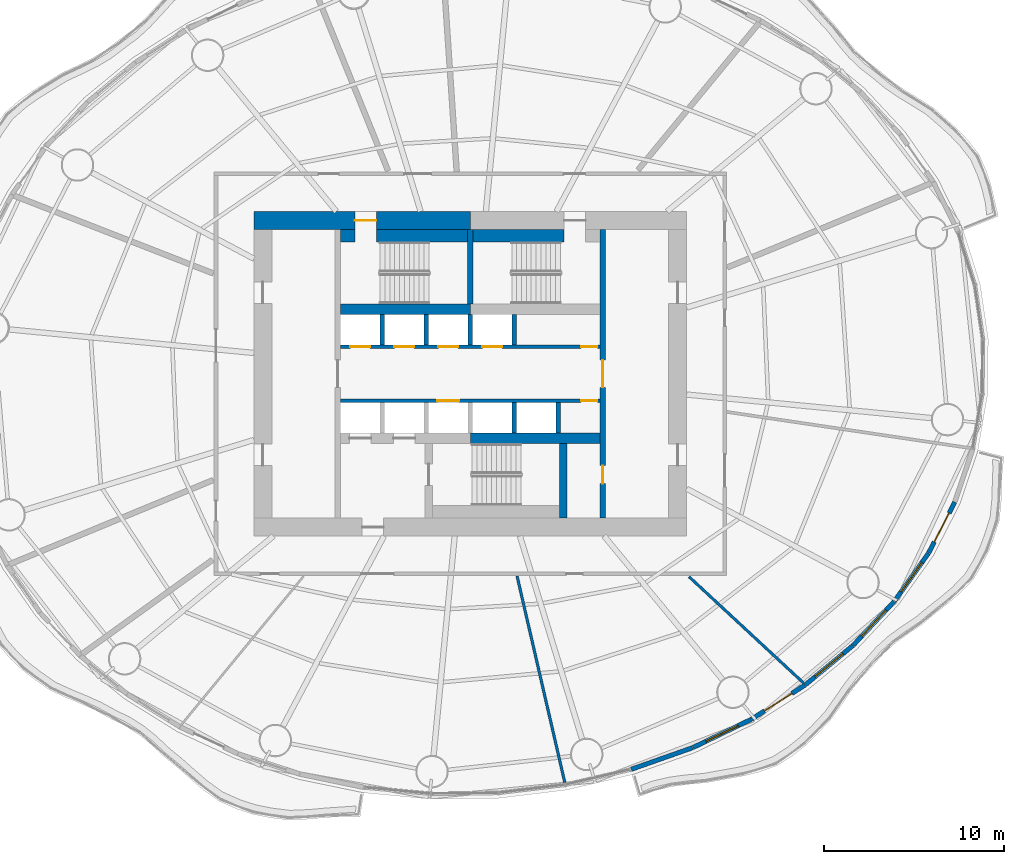
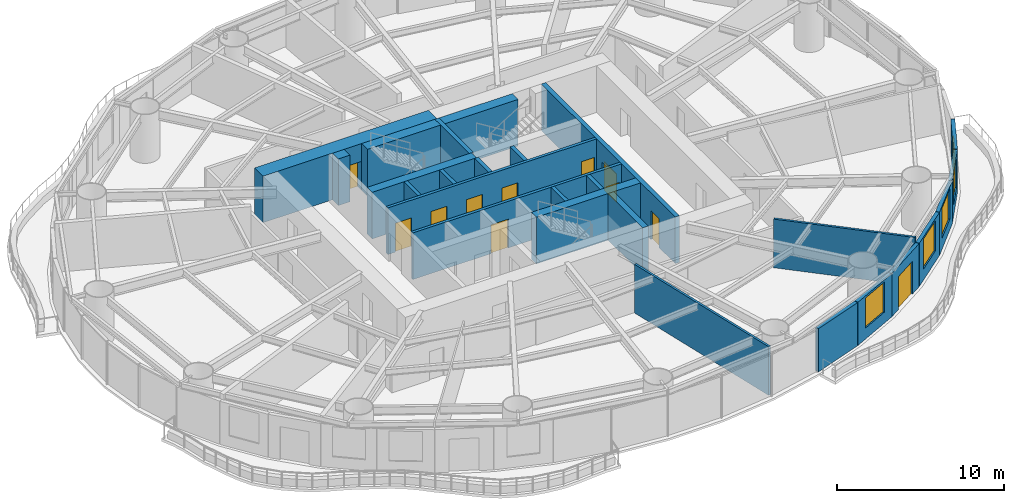
# One storey, part 9 of 16: 26 walls, 12 doors, 4 windows, 16 openings.
"""IFC4 building model written with IfcOpenShell, lengths in metres."""

from ifc_helpers import new_model, si_unit, direction, frame, frame_2d, origin, place, context, subcontext, project, spatial, rectangle, extrude, material, layer, layer_set, type_object, element, fill, save


model = new_model("IFC4")

# Units and contexts
model_context = context("Model", 3, precision=1e-05, world=origin(), true_north=direction((0.0, 1.0)))
body_context = subcontext(model_context, "Body", "Model", "MODEL_VIEW")
ifc_project = project(units=[si_unit("LENGTHUNIT", "METRE"), si_unit("AREAUNIT", "SQUARE_METRE"), si_unit("VOLUMEUNIT", "CUBIC_METRE"), si_unit("PLANEANGLEUNIT", "RADIAN"), si_unit("MASSUNIT", "GRAM", prefix="KILO")], contexts=[model_context])

# Site, building, storey
site_placement = place(None, origin())
site = spatial("IfcSite", under=ifc_project, at=site_placement, CompositionType="ELEMENT")
building_placement = place(site_placement, origin())
building = spatial("IfcBuilding", under=site, at=building_placement, Name="Vermilion Reach Broadcast Tower", CompositionType="ELEMENT")
storey_placement = place(building_placement, frame((0.0, 0.0, 50.800048828125)))
storey = spatial("IfcBuildingStorey", under=building, at=storey_placement, Name="L09", CompositionType="ELEMENT", Elevation=50.800048828125)

# Wall, openings, doors
ifc_material_1 = material(Name="Concrete C70", Category="concrete")
ifc_layer_1 = layer(ifc_material_1, 0.300048828125)
ifc_layer_set_1 = layer_set([ifc_layer_1], Name="Core inner wall 300 mm Concrete C70")
wall_type_1 = type_object("IfcWallType", Name="Core inner wall 300 mm Concrete C70", PredefinedType="SHEAR", material=ifc_layer_set_1)
wall_1_placement = place(storey_placement, frame((1.35009765625, -8.0, 0.0), z_axis=(0.0, 0.0, 1.0), x_axis=(0.0, 1.0, 0.0)))
wall_1 = element("IfcWall", 1, at=wall_1_placement, inside=storey, type_object=wall_type_1, Name="L09 core wall ewE", PredefinedType="SHEAR", context=body_context, shape_type="SweptSolid", body=[
    extrude(rectangle(XDim=16.0, YDim=0.300048828125, at=frame_2d((8.0, 0.0))), origin(), (0.0, 0.0, 1.0), 3.39990234375),
])
opening_1_placement = place(wall_1_placement, frame((1.909912109375, 0.0, 0.0)))
opening_1 = element("IfcOpeningElement", 2, at=opening_1_placement, cuts=wall_1, Name="Opening D05", PredefinedType="OPENING", context=body_context, shape_type="SweptSolid", body=[
    extrude(rectangle(XDim=1.0, YDim=2.10009765625, at=frame_2d((0.5, 1.050048828125))), frame((0.0, 0.159912109375, 0.0), z_axis=(0.0, -1.0, 0.0), x_axis=(1.0, 0.0, 0.0)), (0.0, 0.0, 1.0), 0.320068359375),
])
opening_2_placement = place(wall_1_placement, frame((7.25, 0.0, 0.0)))
opening_2 = element("IfcOpeningElement", 3, at=opening_2_placement, cuts=wall_1, Name="Opening D04", PredefinedType="OPENING", context=body_context, shape_type="SweptSolid", body=[
    extrude(rectangle(XDim=1.5, YDim=2.10009765625, at=frame_2d((0.75, 1.050048828125))), frame((0.0, 0.159912109375, 0.0), z_axis=(0.0, -1.0, 0.0), x_axis=(1.0, 0.0, 0.0)), (0.0, 0.0, 1.0), 0.320068359375),
])
ifc_material_2 = material(Name="Painted steel fire door", Category="steel")
door_type_1 = type_object("IfcDoorType", Name="Lift lobby door 1500 x 2100", OperationType="DOUBLE_DOOR_SINGLE_SWING", PredefinedType="NOTDEFINED", material=ifc_material_2)
door_1_placement = place(opening_2_placement, origin())
door_1 = element("IfcDoor", 4, at=door_1_placement, inside=storey, type_object=door_type_1, Name="L09 band door BE", OperationType="DOUBLE_DOOR_SINGLE_SWING", OverallHeight=2.10009765625, OverallWidth=1.5, PredefinedType="NOTDEFINED", context=body_context, shape_type="SweptSolid", body=[
    extrude(rectangle(XDim=1.5, YDim=2.10009765625, at=frame_2d((0.75, 1.050048828125))), frame((0.0, 0.02490234375, 0.0), z_axis=(0.0, -1.0, 0.0), x_axis=(1.0, 0.0, 0.0)), (0.0, 0.0, 1.0), 0.050048828125),
])
fill(opening_2, door_1)
ifc_material_3 = material(Name="Timber door", Category="wood")
door_type_2 = type_object("IfcDoorType", Name="Room door 1000 x 2100", OperationType="NOTDEFINED", PredefinedType="NOTDEFINED", material=ifc_material_3)
door_2_placement = place(opening_1_placement, origin())
door_2 = element("IfcDoor", 5, at=door_2_placement, inside=storey, type_object=door_type_2, Name="L09 door SER", OperationType="SINGLE_SWING_LEFT", OverallHeight=2.10009765625, OverallWidth=1.0, PredefinedType="NOTDEFINED", context=body_context, shape_type="SweptSolid", body=[
    extrude(rectangle(XDim=1.0, YDim=2.10009765625, at=frame_2d((0.5, 1.050048828125))), frame((0.0, 0.02490234375, 0.0), z_axis=(0.0, -1.0, 0.0), x_axis=(1.0, 0.0, 0.0)), (0.0, 0.0, 1.0), 0.050048828125),
])
fill(opening_1, door_2)

# Walls
wall_2_placement = place(storey_placement, frame((-6.0, 3.8798828125, 0.0), z_axis=(0.0, 0.0, 1.0), x_axis=(0.0, 1.0, 0.0)))
element("IfcWall", 6, at=wall_2_placement, inside=storey, type_object=wall_type_1, Name="L09 core wall wc", PredefinedType="SHEAR", context=body_context, shape_type="SweptSolid", body=[
    extrude(rectangle(XDim=4.1201171875, YDim=0.300048828125, at=frame_2d((2.06005859375, 0.0))), origin(), (0.0, 0.0, 1.0), 3.39990234375),
])
ifc_material_4 = material(Name="Concrete C70", Category="concrete")
ifc_layer_2 = layer(ifc_material_4, 0.39990234375)
ifc_layer_set_2 = layer_set([ifc_layer_2], Name="Core inner wall 400 mm Concrete C70")
wall_type_2 = type_object("IfcWallType", Name="Core inner wall 400 mm Concrete C70", PredefinedType="SHEAR", material=ifc_layer_set_2)
wall_3_placement = place(storey_placement, frame((-0.85009765625, -3.8798828125, 0.0), z_axis=(0.0, 0.0, 1.0), x_axis=(0.0, -1.0, 0.0)))
element("IfcWall", 7, at=wall_3_placement, inside=storey, type_object=wall_type_2, Name="L09 core wall wb", PredefinedType="SHEAR", context=body_context, shape_type="SweptSolid", body=[
    extrude(rectangle(XDim=4.1201171875, YDim=0.39990234375, at=frame_2d((2.06005859375, 0.0))), origin(), (0.0, 0.0, 1.0), 3.39990234375),
])
ifc_material_5 = material(Name="Concrete C70", Category="concrete")
ifc_layer_3 = layer(ifc_material_5, 0.60009765625)
ifc_layer_set_3 = layer_set([ifc_layer_3], Name="Core inner wall 600 mm Concrete C70")
wall_type_3 = type_object("IfcWallType", Name="Core inner wall 600 mm Concrete C70", PredefinedType="SHEAR", material=ifc_layer_set_3)
for number, where, z_axis, x_axis, name in (
    (8, (-13.199951171875, 3.580078125, 0.0), (0.0, 0.0, 1.0), (1.0, 0.0, 0.0), "L09 core wall winW"),
    (9, (-6.0, -3.580078125, 0.0), (0.0, 0.0, 1.0), (1.0, 0.0, 0.0), "L09 core wall wisE"),
):
    element("IfcWall", number, at=place(storey_placement, frame(where, z_axis=z_axis, x_axis=x_axis)), inside=storey, type_object=wall_type_3, Name=name, PredefinedType="SHEAR", context=body_context, shape_type="SweptSolid", body=[
        extrude(rectangle(XDim=7.199951171875, YDim=0.60009765625, at=frame_2d((3.60009765625, 0.0))), origin(), (0.0, 0.0, 1.0), 3.39990234375),
    ])

# Wall, opening, door
ifc_material_6 = material(Name="Concrete C70", Category="concrete")
ifc_layer_4 = layer(ifc_material_6, 1.0)
ifc_layer_set_4 = layer_set([ifc_layer_4], Name="Core outer wall 1000 mm Concrete C70")
wall_type_4 = type_object("IfcWallType", Name="Core outer wall 1000 mm Concrete C70", PredefinedType="SHEAR", material=ifc_layer_set_4)
wall_4_placement = place(storey_placement, frame((-6.0, 8.5, 0.0), z_axis=(0.0, 0.0, 1.0), x_axis=(-1.0, 0.0, 0.0)))
wall_4 = element("IfcWall", 10, at=wall_4_placement, inside=storey, type_object=wall_type_4, Name="L09 core wall onW", PredefinedType="SHEAR", context=body_context, shape_type="SweptSolid", body=[
    extrude(rectangle(XDim=12.0, YDim=1.0, at=frame_2d((6.0, 0.0))), origin(), (0.0, 0.0, 1.0), 3.39990234375),
])
opening_3_placement = place(wall_4_placement, frame((5.199951171875, 0.0, 0.0)))
opening_3 = element("IfcOpeningElement", 11, at=opening_3_placement, cuts=wall_4, Name="Opening D01", PredefinedType="OPENING", context=body_context, shape_type="SweptSolid", body=[
    extrude(rectangle(XDim=1.199951171875, YDim=2.10009765625, at=frame_2d((0.60009765625, 1.050048828125))), frame((0.0, 0.510009765625, 0.0), z_axis=(0.0, -1.0, 0.0), x_axis=(1.0, 0.0, 0.0)), (0.0, 0.0, 1.0), 1.02001953125),
])
ifc_material_7 = material(Name="Painted steel fire door", Category="steel")
door_type_3 = type_object("IfcDoorType", Name="Stair door 1200 x 2100", OperationType="DOUBLE_DOOR_SINGLE_SWING", PredefinedType="NOTDEFINED", material=ifc_material_7)
door_3_placement = place(opening_3_placement, origin())
door_3 = element("IfcDoor", 12, at=door_3_placement, inside=storey, type_object=door_type_3, Name="L09 stair door ST1", OperationType="DOUBLE_DOOR_SINGLE_SWING", OverallHeight=2.10009765625, OverallWidth=1.199951171875, PredefinedType="NOTDEFINED", context=body_context, shape_type="SweptSolid", body=[
    extrude(rectangle(XDim=1.199951171875, YDim=2.10009765625, at=frame_2d((0.60009765625, 1.050048828125))), frame((0.0, 0.02490234375, 0.0), z_axis=(0.0, -1.0, 0.0), x_axis=(1.0, 0.0, 0.0)), (0.0, 0.0, 1.0), 0.050048828125),
])
fill(opening_3, door_3)

# Wall, openings, doors
ifc_material_8 = material(Name="Concrete C50", Category="concrete")
ifc_layer_5 = layer(ifc_material_8, 0.199951171875)
ifc_layer_set_5 = layer_set([ifc_layer_5], Name="Core shaft wall 200 mm Concrete C50")
wall_type_5 = type_object("IfcWallType", Name="Core shaft wall 200 mm Concrete C50", PredefinedType="SHEAR", material=ifc_layer_set_5)
wall_5_placement = place(storey_placement, frame((-13.199951171875, 1.5, 0.0), z_axis=(0.0, 0.0, 1.0), x_axis=(1.0, 0.0, 0.0)))
wall_5 = element("IfcWall", 13, at=wall_5_placement, inside=storey, type_object=wall_type_5, Name="L09 core wall fn", PredefinedType="SHEAR", context=body_context, shape_type="SweptSolid", body=[
    extrude(rectangle(XDim=14.39990234375, YDim=0.199951171875, at=frame_2d((7.199951171875, 0.0))), origin(), (0.0, 0.0, 1.0), 3.39990234375),
])
opening_4_placement = place(wall_5_placement, frame((0.5458984375, 0.0, 0.0)))
opening_4 = element("IfcOpeningElement", 14, at=opening_4_placement, cuts=wall_5, Name="Opening LD2", PredefinedType="OPENING", context=body_context, shape_type="SweptSolid", body=[
    extrude(rectangle(XDim=1.10009765625, YDim=2.10009765625, at=frame_2d((0.550048828125, 1.050048828125))), frame((0.0, 0.10986328125, 0.0), z_axis=(0.0, -1.0, 0.0), x_axis=(1.0, 0.0, 0.0)), (0.0, 0.0, 1.0), 0.219970703125),
])
opening_5_placement = place(wall_5_placement, frame((2.987548828125, 0.0, 0.0)))
opening_5 = element("IfcOpeningElement", 15, at=opening_5_placement, cuts=wall_5, Name="Opening LD2", PredefinedType="OPENING", context=body_context, shape_type="SweptSolid", body=[
    extrude(rectangle(XDim=1.10009765625, YDim=2.10009765625, at=frame_2d((0.550048828125, 1.050048828125))), frame((0.0, 0.10986328125, 0.0), z_axis=(0.0, -1.0, 0.0), x_axis=(1.0, 0.0, 0.0)), (0.0, 0.0, 1.0), 0.219970703125),
])
opening_6_placement = place(wall_5_placement, frame((5.42919921875, 0.0, 0.0)))
opening_6 = element("IfcOpeningElement", 16, at=opening_6_placement, cuts=wall_5, Name="Opening LD2", PredefinedType="OPENING", context=body_context, shape_type="SweptSolid", body=[
    extrude(rectangle(XDim=1.10009765625, YDim=2.10009765625, at=frame_2d((0.550048828125, 1.050048828125))), frame((0.0, 0.10986328125, 0.0), z_axis=(0.0, -1.0, 0.0), x_axis=(1.0, 0.0, 0.0)), (0.0, 0.0, 1.0), 0.219970703125),
])
opening_7_placement = place(wall_5_placement, frame((7.870849609375, 0.0, 0.0)))
opening_7 = element("IfcOpeningElement", 17, at=opening_7_placement, cuts=wall_5, Name="Opening LD2", PredefinedType="OPENING", context=body_context, shape_type="SweptSolid", body=[
    extrude(rectangle(XDim=1.10009765625, YDim=2.10009765625, at=frame_2d((0.550048828125, 1.050048828125))), frame((0.0, 0.10986328125, 0.0), z_axis=(0.0, -1.0, 0.0), x_axis=(1.0, 0.0, 0.0)), (0.0, 0.0, 1.0), 0.219970703125),
])
opening_8_placement = place(wall_5_placement, frame((13.35009765625, 0.0, 0.0)))
opening_8 = element("IfcOpeningElement", 18, at=opening_8_placement, cuts=wall_5, Name="Opening D06", PredefinedType="OPENING", context=body_context, shape_type="SweptSolid", body=[
    extrude(rectangle(XDim=0.89990234375, YDim=2.10009765625, at=frame_2d((0.449951171875, 1.050048828125))), frame((0.0, 0.10986328125, 0.0), z_axis=(0.0, -1.0, 0.0), x_axis=(1.0, 0.0, 0.0)), (0.0, 0.0, 1.0), 0.219970703125),
])
ifc_material_9 = material(Name="Stainless steel", Category="steel")
door_type_4 = type_object("IfcDoorType", Name="Landing door 1100 x 2100", OperationType="DOUBLE_DOOR_SLIDING", PredefinedType="NOTDEFINED", material=ifc_material_9)
door_4_placement = place(opening_4_placement, origin())
door_4 = element("IfcDoor", 19, at=door_4_placement, inside=storey, type_object=door_type_4, Name="L09 landing door LR1", OperationType="DOUBLE_DOOR_SLIDING", OverallHeight=2.10009765625, OverallWidth=1.10009765625, PredefinedType="NOTDEFINED", context=body_context, shape_type="SweptSolid", body=[
    extrude(rectangle(XDim=1.10009765625, YDim=2.10009765625, at=frame_2d((0.550048828125, 1.050048828125))), frame((0.0, 0.02490234375, 0.0), z_axis=(0.0, -1.0, 0.0), x_axis=(1.0, 0.0, 0.0)), (0.0, 0.0, 1.0), 0.050048828125),
])
fill(opening_4, door_4)
door_5_placement = place(opening_5_placement, origin())
door_5 = element("IfcDoor", 20, at=door_5_placement, inside=storey, type_object=door_type_4, Name="L09 landing door LR2", OperationType="DOUBLE_DOOR_SLIDING", OverallHeight=2.10009765625, OverallWidth=1.10009765625, PredefinedType="NOTDEFINED", context=body_context, shape_type="SweptSolid", body=[
    extrude(rectangle(XDim=1.10009765625, YDim=2.10009765625, at=frame_2d((0.550048828125, 1.050048828125))), frame((0.0, 0.02490234375, 0.0), z_axis=(0.0, -1.0, 0.0), x_axis=(1.0, 0.0, 0.0)), (0.0, 0.0, 1.0), 0.050048828125),
])
fill(opening_5, door_5)
door_6_placement = place(opening_6_placement, origin())
door_6 = element("IfcDoor", 21, at=door_6_placement, inside=storey, type_object=door_type_4, Name="L09 landing door LR3", OperationType="DOUBLE_DOOR_SLIDING", OverallHeight=2.10009765625, OverallWidth=1.10009765625, PredefinedType="NOTDEFINED", context=body_context, shape_type="SweptSolid", body=[
    extrude(rectangle(XDim=1.10009765625, YDim=2.10009765625, at=frame_2d((0.550048828125, 1.050048828125))), frame((0.0, 0.02490234375, 0.0), z_axis=(0.0, -1.0, 0.0), x_axis=(1.0, 0.0, 0.0)), (0.0, 0.0, 1.0), 0.050048828125),
])
fill(opening_6, door_6)
door_7_placement = place(opening_7_placement, origin())
door_7 = element("IfcDoor", 22, at=door_7_placement, inside=storey, type_object=door_type_4, Name="L09 landing door LR4", OperationType="DOUBLE_DOOR_SLIDING", OverallHeight=2.10009765625, OverallWidth=1.10009765625, PredefinedType="NOTDEFINED", context=body_context, shape_type="SweptSolid", body=[
    extrude(rectangle(XDim=1.10009765625, YDim=2.10009765625, at=frame_2d((0.550048828125, 1.050048828125))), frame((0.0, 0.02490234375, 0.0), z_axis=(0.0, -1.0, 0.0), x_axis=(1.0, 0.0, 0.0)), (0.0, 0.0, 1.0), 0.050048828125),
])
fill(opening_7, door_7)
ifc_material_10 = material(Name="Timber door", Category="wood")
door_type_5 = type_object("IfcDoorType", Name="WC door 900 x 2100", OperationType="NOTDEFINED", PredefinedType="NOTDEFINED", material=ifc_material_10)
door_8_placement = place(opening_8_placement, origin())
door_8 = element("IfcDoor", 23, at=door_8_placement, inside=storey, type_object=door_type_5, Name="L09 door Female WC", OperationType="SINGLE_SWING_RIGHT", OverallHeight=2.10009765625, OverallWidth=0.89990234375, PredefinedType="NOTDEFINED", context=body_context, shape_type="SweptSolid", body=[
    extrude(rectangle(XDim=0.89990234375, YDim=2.10009765625, at=frame_2d((0.449951171875, 1.050048828125))), frame((0.0, 0.02490234375, 0.0), z_axis=(0.0, -1.0, 0.0), x_axis=(1.0, 0.0, 0.0)), (0.0, 0.0, 1.0), 0.050048828125),
])
fill(opening_8, door_8)

wall_6_placement = place(storey_placement, frame((1.199951171875, -1.5, 0.0), z_axis=(0.0, 0.0, 1.0), x_axis=(-1.0, 0.0, 0.0)))
wall_6 = element("IfcWall", 24, at=wall_6_placement, inside=storey, type_object=wall_type_5, Name="L09 core wall fs", PredefinedType="SHEAR", context=body_context, shape_type="SweptSolid", body=[
    extrude(rectangle(XDim=14.39990234375, YDim=0.199951171875, at=frame_2d((7.199951171875, 0.0))), origin(), (0.0, 0.0, 1.0), 3.39990234375),
])
opening_9_placement = place(wall_6_placement, frame((7.82080078125, 0.0, 0.0)))
opening_9 = element("IfcOpeningElement", 25, at=opening_9_placement, cuts=wall_6, Name="Opening LD1", PredefinedType="OPENING", context=body_context, shape_type="SweptSolid", body=[
    extrude(rectangle(XDim=1.199951171875, YDim=2.10009765625, at=frame_2d((0.60009765625, 1.050048828125))), frame((0.0, 0.10986328125, 0.0), z_axis=(0.0, -1.0, 0.0), x_axis=(1.0, 0.0, 0.0)), (0.0, 0.0, 1.0), 0.219970703125),
])
opening_10_placement = place(wall_6_placement, frame((0.14990234375, 0.0, 0.0)))
opening_10 = element("IfcOpeningElement", 26, at=opening_10_placement, cuts=wall_6, Name="Opening D06", PredefinedType="OPENING", context=body_context, shape_type="SweptSolid", body=[
    extrude(rectangle(XDim=0.89990234375, YDim=2.10009765625, at=frame_2d((0.449951171875, 1.050048828125))), frame((0.0, 0.10986328125, 0.0), z_axis=(0.0, -1.0, 0.0), x_axis=(1.0, 0.0, 0.0)), (0.0, 0.0, 1.0), 0.219970703125),
])
ifc_material_11 = material(Name="Stainless steel", Category="steel")
door_type_6 = type_object("IfcDoorType", Name="Landing door 1200 x 2100", OperationType="DOUBLE_DOOR_SLIDING", PredefinedType="NOTDEFINED", material=ifc_material_11)
door_9_placement = place(opening_9_placement, origin())
door_9 = element("IfcDoor", 27, at=door_9_placement, inside=storey, type_object=door_type_6, Name="L09 landing door SV1", OperationType="DOUBLE_DOOR_SLIDING", OverallHeight=2.10009765625, OverallWidth=1.199951171875, PredefinedType="NOTDEFINED", context=body_context, shape_type="SweptSolid", body=[
    extrude(rectangle(XDim=1.199951171875, YDim=2.10009765625, at=frame_2d((0.60009765625, 1.050048828125))), frame((0.0, 0.02490234375, 0.0), z_axis=(0.0, -1.0, 0.0), x_axis=(1.0, 0.0, 0.0)), (0.0, 0.0, 1.0), 0.050048828125),
])
fill(opening_9, door_9)
door_10_placement = place(opening_10_placement, origin())
door_10 = element("IfcDoor", 28, at=door_10_placement, inside=storey, type_object=door_type_5, Name="L09 door Male WC", OperationType="SINGLE_SWING_LEFT", OverallHeight=2.10009765625, OverallWidth=0.89990234375, PredefinedType="NOTDEFINED", context=body_context, shape_type="SweptSolid", body=[
    extrude(rectangle(XDim=0.89990234375, YDim=2.10009765625, at=frame_2d((0.449951171875, 1.050048828125))), frame((0.0, 0.02490234375, 0.0), z_axis=(0.0, -1.0, 0.0), x_axis=(1.0, 0.0, 0.0)), (0.0, 0.0, 1.0), 0.050048828125),
])
fill(opening_10, door_10)

# Walls
ifc_material_12 = material(Name="Concrete C50", Category="concrete")
ifc_layer_6 = layer(ifc_material_12, 0.25)
ifc_layer_set_6 = layer_set([ifc_layer_6], Name="Core shaft wall 250 mm Concrete C50")
wall_type_6 = type_object("IfcWallType", Name="Core shaft wall 250 mm Concrete C50", PredefinedType="SHEAR", material=ifc_layer_set_6)
for number, where, z_axis, x_axis, name in (
    (29, (-10.88330078125, 1.60009765625, 0.0), (0.0, 0.0, 1.0), (0.0, 1.0, 0.0), "L09 core wall psN0"),
    (30, (-8.441650390625, 1.60009765625, 0.0), (0.0, 0.0, 1.0), (0.0, 1.0, 0.0), "L09 core wall psN1"),
    (31, (-6.0, 1.60009765625, 0.0), (0.0, 0.0, 1.0), (0.0, 1.0, 0.0), "L09 core wall psN2"),
    (32, (-3.558349609375, 1.60009765625, 0.0), (0.0, 0.0, 1.0), (0.0, 1.0, 0.0), "L09 core wall psN3"),
    (33, (-3.558349609375, -1.60009765625, 0.0), (0.0, 0.0, 1.0), (0.0, -1.0, 0.0), "L09 core wall psS3"),
    (34, (-1.11669921875, -1.60009765625, 0.0), (0.0, 0.0, 1.0), (0.0, -1.0, 0.0), "L09 core wall psS4"),
):
    element("IfcWall", number, at=place(storey_placement, frame(where, z_axis=z_axis, x_axis=x_axis)), inside=storey, type_object=wall_type_6, Name=name, PredefinedType="SHEAR", context=body_context, shape_type="SweptSolid", body=[
        extrude(rectangle(XDim=1.679931640625, YDim=0.25, at=frame_2d((0.83984375, 0.0))), origin(), (0.0, 0.0, 1.0), 3.39990234375),
    ])
ifc_material_13 = material(Name="Concrete C70", Category="concrete")
ifc_layer_7 = layer(ifc_material_13, 0.699951171875)
ifc_layer_set_7 = layer_set([ifc_layer_7], Name="Core stair wall 700 mm Concrete C70")
wall_type_7 = type_object("IfcWallType", Name="Core stair wall 700 mm Concrete C70", PredefinedType="SHEAR", material=ifc_layer_set_7)
wall_7_placement = place(storey_placement, frame((-13.199951171875, 7.64990234375, 0.0), z_axis=(0.0, 0.0, 1.0), x_axis=(1.0, 0.0, 0.0)))
element("IfcWall", 35, at=wall_7_placement, inside=storey, type_object=wall_type_7, Name="L09 core wall l1a", PredefinedType="SHEAR", context=body_context, shape_type="SweptSolid", body=[
    extrude(rectangle(XDim=0.800048828125, YDim=0.699951171875, at=frame_2d((0.39990234375, 0.0))), origin(), (0.0, 0.0, 1.0), 3.39990234375),
])
for number, where, z_axis, x_axis, name in (
    (36, (-11.199951171875, 7.64990234375, 0.0), (0.0, 0.0, 1.0), (1.0, 0.0, 0.0), "L09 core wall l1b"),
    (37, (-5.85009765625, 7.64990234375, 0.0), (0.0, 0.0, 1.0), (1.0, 0.0, 0.0), "L09 core wall l2a"),
):
    element("IfcWall", number, at=place(storey_placement, frame(where, z_axis=z_axis, x_axis=x_axis)), inside=storey, type_object=wall_type_7, Name=name, PredefinedType="SHEAR", context=body_context, shape_type="SweptSolid", body=[
        extrude(rectangle(XDim=5.050048828125, YDim=0.699951171875, at=frame_2d((2.52490234375, 0.0))), origin(), (0.0, 0.0, 1.0), 3.39990234375),
    ])
ifc_material_14 = material(Name="Lightweight concrete block, plastered", Category="concrete")
ifc_layer_8 = layer(ifc_material_14, 0.14990234375)
ifc_layer_set_8 = layer_set([ifc_layer_8], Name="Partition 150 lightweight block")
wall_type_8 = type_object("IfcWallType", Name="Partition 150 lightweight block", PredefinedType="PARTITIONING", material=ifc_layer_set_8)
wall_8_placement = place(storey_placement, frame((-0.7578125, -22.66796875, 0.0), z_axis=(0.0, 0.0, 1.0), x_axis=(-0.225313080514, 0.974286413612, 0.0)))
element("IfcWall", 38, at=wall_8_placement, inside=storey, type_object=wall_type_8, Name="Partition 9.09", PredefinedType="PARTITIONING", context=body_context, shape_type="SweptSolid", body=[
    extrude(rectangle(XDim=11.75341796875, YDim=0.14990234375, at=frame_2d((5.876708984375, 0.0))), origin(), (0.0, 0.0, 1.0), 3.550048828125),
])
wall_9_placement = place(storey_placement, frame((12.490966796875, -17.157470703125, 0.0), z_axis=(0.0, 0.0, 1.0), x_axis=(-0.733043944871, 0.680181280901, 0.0)))
element("IfcWall", 39, at=wall_9_placement, inside=storey, type_object=wall_type_8, Name="Partition 9.10", PredefinedType="PARTITIONING", context=body_context, shape_type="SweptSolid", body=[
    extrude(rectangle(XDim=8.677978515625, YDim=0.14990234375, at=frame_2d((4.3388671875, 0.0))), origin(), (0.0, 0.0, 1.0), 3.550048828125),
])
ifc_material_15 = material(Name="Terracotta rainscreen cladding", Category="masonry")
ifc_layer_9 = layer(ifc_material_15, 0.25)
ifc_layer_set_9 = layer_set([ifc_layer_9], Name="Terracotta rainscreen wall 250")
wall_type_9 = type_object("IfcWallType", Name="Terracotta rainscreen wall 250", PredefinedType="SOLIDWALL", material=ifc_layer_set_9)
wall_10_placement = place(storey_placement, frame((2.92919921875, -21.93212890625, 0.0), z_axis=(0.0, 0.0, 1.0), x_axis=(0.943313962697, 0.331901744168, 0.0)))
element("IfcWall", 40, at=wall_10_placement, inside=storey, type_object=wall_type_9, Name="External wall L09 38", PredefinedType="SOLIDWALL", context=body_context, shape_type="SweptSolid", body=[
    extrude(rectangle(XDim=3.60205078125, YDim=0.25, at=frame_2d((1.801025390625, 0.0))), origin(), (0.0, 0.0, 1.0), 3.14990234375),
])

# Wall, opening, window
wall_11_placement = place(storey_placement, frame((6.347412109375, -20.72802734375, 0.0), z_axis=(0.0, 0.0, 1.0), x_axis=(0.899966299965, 0.435959469363, 0.0)))
wall_11 = element("IfcWall", 41, at=wall_11_placement, inside=storey, type_object=wall_type_9, Name="External wall L09 39", PredefinedType="SOLIDWALL", context=body_context, shape_type="SweptSolid", body=[
    extrude(rectangle(XDim=3.586181640625, YDim=0.25, at=frame_2d((1.79296875, 0.0))), origin(), (0.0, 0.0, 1.0), 3.14990234375),
])
opening_11_placement = place(wall_11_placement, frame((0.793212890625, 0.0, 0.800048828125)))
opening_11 = element("IfcOpeningElement", 42, at=opening_11_placement, cuts=wall_11, Name="Opening W01", PredefinedType="OPENING", context=body_context, shape_type="SweptSolid", body=[
    extrude(rectangle(XDim=2.0, YDim=2.199951171875, at=frame_2d((1.0, 1.10009765625))), frame((0.0, 0.135009765625, 0.0), z_axis=(0.0, -1.0, 0.0), x_axis=(1.0, 0.0, 0.0)), (0.0, 0.0, 1.0), 0.27001953125),
])
ifc_material_16 = material(Name="Low-e laminated clear glass in aluminium frame", Category="aluminium")
window_type = type_object("IfcWindowType", Name="Punched window 2000 x 2200 sill 800", PartitioningType="SINGLE_PANEL", PredefinedType="WINDOW", material=ifc_material_16)
window_1_placement = place(opening_11_placement, origin())
window_1 = element("IfcWindow", 43, at=window_1_placement, inside=storey, type_object=window_type, Name="Window L09 39", OverallHeight=2.199951171875, OverallWidth=2.0, PartitioningType="SINGLE_PANEL", PredefinedType="WINDOW", context=body_context, shape_type="SweptSolid", body=[
    extrude(rectangle(XDim=2.0, YDim=2.199951171875, at=frame_2d((1.0, 1.10009765625))), frame((0.0, 0.030029296875, 0.0), z_axis=(0.0, -1.0, 0.0), x_axis=(1.0, 0.0, 0.0)), (0.0, 0.0, 1.0), 0.06005859375),
])
fill(opening_11, window_1)

# Wall, opening, door
wall_12_placement = place(storey_placement, frame((9.5947265625, -19.153564453125, 0.0), z_axis=(0.0, 0.0, 1.0), x_axis=(0.843008079685, 0.53790089941, 0.0)))
wall_12 = element("IfcWall", 44, at=wall_12_placement, inside=storey, type_object=wall_type_9, Name="External wall L09 40", PredefinedType="SOLIDWALL", context=body_context, shape_type="SweptSolid", body=[
    extrude(rectangle(XDim=3.51123046875, YDim=0.25, at=frame_2d((1.755615234375, 0.0))), origin(), (0.0, 0.0, 1.0), 3.14990234375),
])
opening_12_placement = place(wall_12_placement, frame((0.85595703125, 0.0, 0.0)))
opening_12 = element("IfcOpeningElement", 45, at=opening_12_placement, cuts=wall_12, Name="Opening D70", PredefinedType="OPENING", context=body_context, shape_type="SweptSolid", body=[
    extrude(rectangle(XDim=1.800048828125, YDim=2.39990234375, at=frame_2d((0.89990234375, 1.199951171875))), frame((0.0, 0.135009765625, 0.0), z_axis=(0.0, -1.0, 0.0), x_axis=(1.0, 0.0, 0.0)), (0.0, 0.0, 1.0), 0.27001953125),
])
ifc_material_17 = material(Name="Low-e laminated clear glass in aluminium frame", Category="aluminium")
door_type_7 = type_object("IfcDoorType", Name="Balcony sliding door 1800 x 2400", OperationType="DOUBLE_DOOR_SLIDING", PredefinedType="DOOR", material=ifc_material_17)
door_11_placement = place(opening_12_placement, origin())
door_11 = element("IfcDoor", 46, at=door_11_placement, inside=storey, type_object=door_type_7, Name="Balcony door L09 run 10", OperationType="DOUBLE_DOOR_SLIDING", OverallHeight=2.39990234375, OverallWidth=1.800048828125, PredefinedType="DOOR", context=body_context, shape_type="SweptSolid", body=[
    extrude(rectangle(XDim=1.800048828125, YDim=2.39990234375, at=frame_2d((0.89990234375, 1.199951171875))), frame((0.0, 0.02490234375, 0.0), z_axis=(0.0, -1.0, 0.0), x_axis=(1.0, 0.0, 0.0)), (0.0, 0.0, 1.0), 0.050048828125),
])
fill(opening_12, door_11)

# Wall, opening, window
wall_13_placement = place(storey_placement, frame((12.573486328125, -17.251220703125, 0.0), z_axis=(0.0, 0.0, 1.0), x_axis=(0.771145821292, 0.636658560222, 0.0)))
wall_13 = element("IfcWall", 47, at=wall_13_placement, inside=storey, type_object=wall_type_9, Name="External wall L09 41", PredefinedType="SOLIDWALL", context=body_context, shape_type="SweptSolid", body=[
    extrude(rectangle(XDim=3.425537109375, YDim=0.25, at=frame_2d((1.712890625, 0.0))), origin(), (0.0, 0.0, 1.0), 3.14990234375),
])
opening_13_placement = place(wall_13_placement, frame((0.712646484375, 0.0, 0.800048828125)))
opening_13 = element("IfcOpeningElement", 48, at=opening_13_placement, cuts=wall_13, Name="Opening W01", PredefinedType="OPENING", context=body_context, shape_type="SweptSolid", body=[
    extrude(rectangle(XDim=2.0, YDim=2.199951171875, at=frame_2d((1.0, 1.10009765625))), frame((0.0, 0.135009765625, 0.0), z_axis=(0.0, -1.0, 0.0), x_axis=(1.0, 0.0, 0.0)), (0.0, 0.0, 1.0), 0.27001953125),
])
window_2_placement = place(opening_13_placement, origin())
window_2 = element("IfcWindow", 49, at=window_2_placement, inside=storey, type_object=window_type, Name="Window L09 41", OverallHeight=2.199951171875, OverallWidth=2.0, PartitioningType="SINGLE_PANEL", PredefinedType="WINDOW", context=body_context, shape_type="SweptSolid", body=[
    extrude(rectangle(XDim=2.0, YDim=2.199951171875, at=frame_2d((1.0, 1.10009765625))), frame((0.0, 0.030029296875, 0.0), z_axis=(0.0, -1.0, 0.0), x_axis=(1.0, 0.0, 0.0)), (0.0, 0.0, 1.0), 0.06005859375),
])
fill(opening_13, window_2)

wall_14_placement = place(storey_placement, frame((15.232666015625, -15.053955078125, 0.0), z_axis=(0.0, 0.0, 1.0), x_axis=(0.683288117208, 0.730148853921, 0.0)))
wall_14 = element("IfcWall", 50, at=wall_14_placement, inside=storey, type_object=wall_type_9, Name="External wall L09 42", PredefinedType="SOLIDWALL", context=body_context, shape_type="SweptSolid", body=[
    extrude(rectangle(XDim=3.334228515625, YDim=0.25, at=frame_2d((1.6669921875, 0.0))), origin(), (0.0, 0.0, 1.0), 3.14990234375),
])
opening_14_placement = place(wall_14_placement, frame((0.667236328125, 0.0, 0.800048828125)))
opening_14 = element("IfcOpeningElement", 51, at=opening_14_placement, cuts=wall_14, Name="Opening W01", PredefinedType="OPENING", context=body_context, shape_type="SweptSolid", body=[
    extrude(rectangle(XDim=2.0, YDim=2.199951171875, at=frame_2d((1.0, 1.10009765625))), frame((0.0, 0.135009765625, 0.0), z_axis=(0.0, -1.0, 0.0), x_axis=(1.0, 0.0, 0.0)), (0.0, 0.0, 1.0), 0.27001953125),
])
window_3_placement = place(opening_14_placement, origin())
window_3 = element("IfcWindow", 52, at=window_3_placement, inside=storey, type_object=window_type, Name="Window L09 42", OverallHeight=2.199951171875, OverallWidth=2.0, PartitioningType="SINGLE_PANEL", PredefinedType="WINDOW", context=body_context, shape_type="SweptSolid", body=[
    extrude(rectangle(XDim=2.0, YDim=2.199951171875, at=frame_2d((1.0, 1.10009765625))), frame((0.0, 0.030029296875, 0.0), z_axis=(0.0, -1.0, 0.0), x_axis=(1.0, 0.0, 0.0)), (0.0, 0.0, 1.0), 0.06005859375),
])
fill(opening_14, window_3)

wall_15_placement = place(storey_placement, frame((17.52685546875, -12.60009765625, 0.0), z_axis=(0.0, 0.0, 1.0), x_axis=(0.578643660536, 0.81558047679, 0.0)))
wall_15 = element("IfcWall", 53, at=wall_15_placement, inside=storey, type_object=wall_type_9, Name="External wall L09 43", PredefinedType="SOLIDWALL", context=body_context, shape_type="SweptSolid", body=[
    extrude(rectangle(XDim=3.24365234375, YDim=0.25, at=frame_2d((1.621826171875, 0.0))), origin(), (0.0, 0.0, 1.0), 3.14990234375),
])
opening_15_placement = place(wall_15_placement, frame((0.621826171875, 0.0, 0.800048828125)))
opening_15 = element("IfcOpeningElement", 54, at=opening_15_placement, cuts=wall_15, Name="Opening W01", PredefinedType="OPENING", context=body_context, shape_type="SweptSolid", body=[
    extrude(rectangle(XDim=2.0, YDim=2.199951171875, at=frame_2d((1.0, 1.10009765625))), frame((0.0, 0.135009765625, 0.0), z_axis=(0.0, -1.0, 0.0), x_axis=(1.0, 0.0, 0.0)), (0.0, 0.0, 1.0), 0.27001953125),
])
window_4_placement = place(opening_15_placement, origin())
window_4 = element("IfcWindow", 55, at=window_4_placement, inside=storey, type_object=window_type, Name="Window L09 43", OverallHeight=2.199951171875, OverallWidth=2.0, PartitioningType="SINGLE_PANEL", PredefinedType="WINDOW", context=body_context, shape_type="SweptSolid", body=[
    extrude(rectangle(XDim=2.0, YDim=2.199951171875, at=frame_2d((1.0, 1.10009765625))), frame((0.0, 0.030029296875, 0.0), z_axis=(0.0, -1.0, 0.0), x_axis=(1.0, 0.0, 0.0)), (0.0, 0.0, 1.0), 0.06005859375),
])
fill(opening_15, window_4)

# Wall, opening, door
wall_16_placement = place(storey_placement, frame((19.417236328125, -9.932373046875, 0.0), z_axis=(0.0, 0.0, 1.0), x_axis=(0.457105364661, 0.889412550844, 0.0)))
wall_16 = element("IfcWall", 56, at=wall_16_placement, inside=storey, type_object=wall_type_9, Name="External wall L09 44", PredefinedType="SOLIDWALL", context=body_context, shape_type="SweptSolid", body=[
    extrude(rectangle(XDim=3.16015625, YDim=0.25, at=frame_2d((1.580078125, 0.0))), origin(), (0.0, 0.0, 1.0), 3.14990234375),
])
opening_16_placement = place(wall_16_placement, frame((0.679931640625, 0.0, 0.0)))
opening_16 = element("IfcOpeningElement", 57, at=opening_16_placement, cuts=wall_16, Name="Opening D70", PredefinedType="OPENING", context=body_context, shape_type="SweptSolid", body=[
    extrude(rectangle(XDim=1.800048828125, YDim=2.39990234375, at=frame_2d((0.89990234375, 1.199951171875))), frame((0.0, 0.135009765625, 0.0), z_axis=(0.0, -1.0, 0.0), x_axis=(1.0, 0.0, 0.0)), (0.0, 0.0, 1.0), 0.27001953125),
])
door_12_placement = place(opening_16_placement, origin())
door_12 = element("IfcDoor", 58, at=door_12_placement, inside=storey, type_object=door_type_7, Name="Balcony door L09 run 11", OperationType="DOUBLE_DOOR_SLIDING", OverallHeight=2.39990234375, OverallWidth=1.800048828125, PredefinedType="DOOR", context=body_context, shape_type="SweptSolid", body=[
    extrude(rectangle(XDim=1.800048828125, YDim=2.39990234375, at=frame_2d((0.89990234375, 1.199951171875))), frame((0.0, 0.02490234375, 0.0), z_axis=(0.0, -1.0, 0.0), x_axis=(1.0, 0.0, 0.0)), (0.0, 0.0, 1.0), 0.050048828125),
])
fill(opening_16, door_12)

save(model, "model.ifc")
